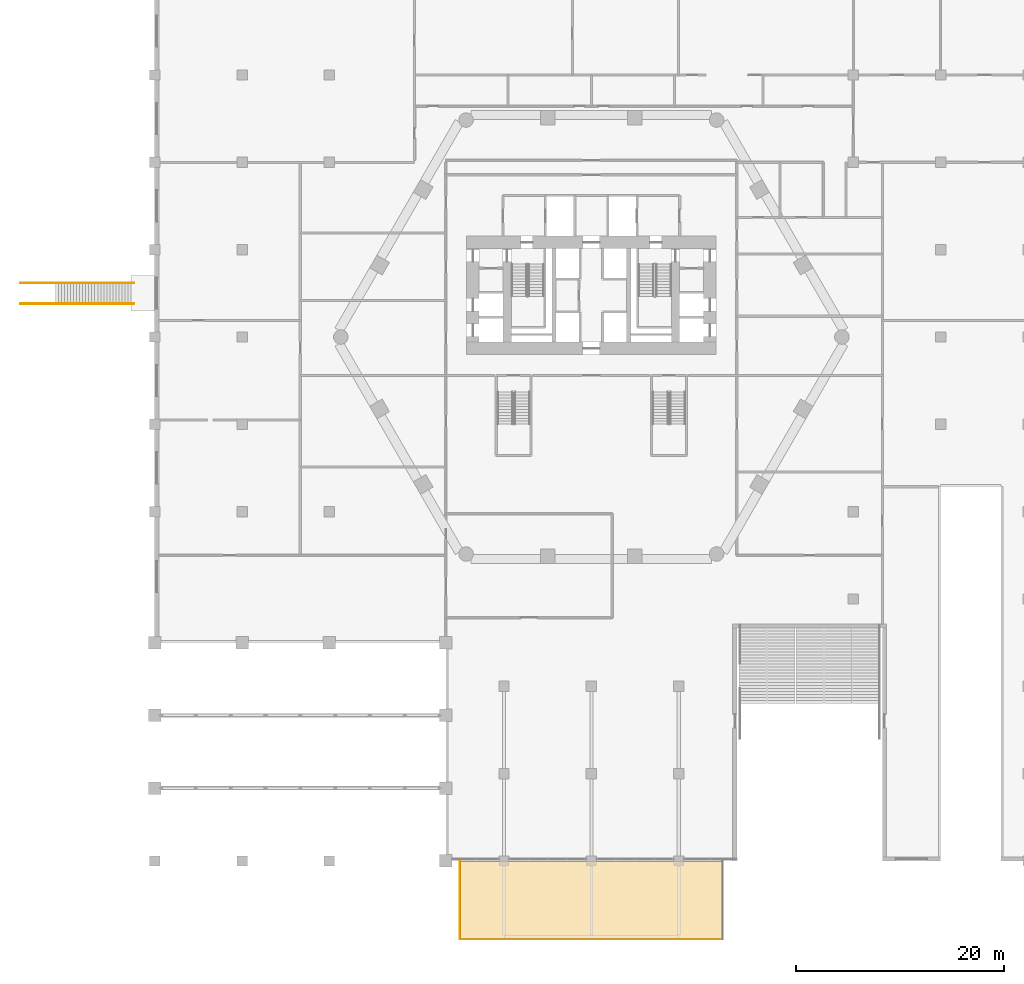
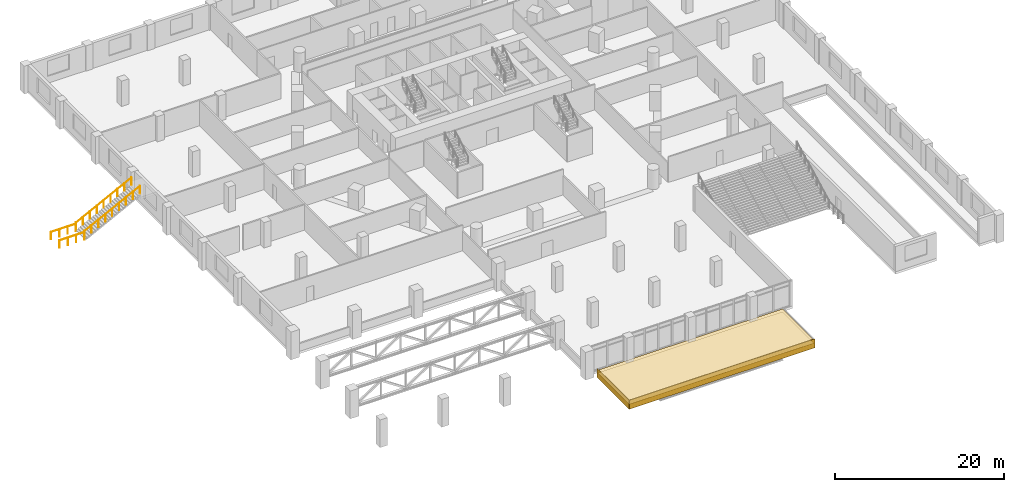
# One storey, part 20 of 24: 4 coverings, 4 railings.
"""IFC4 building model written with IfcOpenShell, lengths in metres."""

from ifc_helpers import new_model, si_unit, direction, frame, origin, origin_2d, place, context, subcontext, project, spatial, polyline, circle, outline, extrude, material, layer, layer_set, type_object, element, save


model = new_model("IFC4")

# Units and contexts
model_context = context("Model", 3, precision=1e-05, world=origin(), true_north=direction((0.0, 1.0)))
body_context = subcontext(model_context, "Body", "Model", "MODEL_VIEW")
ifc_project = project(units=[si_unit("LENGTHUNIT", "METRE"), si_unit("AREAUNIT", "SQUARE_METRE"), si_unit("VOLUMEUNIT", "CUBIC_METRE"), si_unit("PLANEANGLEUNIT", "RADIAN"), si_unit("MASSUNIT", "GRAM", prefix="KILO")], contexts=[model_context])

# Site, building, storey
site_placement = place(None, origin())
site = spatial("IfcSite", under=ifc_project, at=site_placement, CompositionType="ELEMENT")
building_placement = place(site_placement, origin())
building = spatial("IfcBuilding", under=site, at=building_placement, Name="Ostrander Bayou Hotel Tower", CompositionType="ELEMENT")
storey_placement = place(building_placement, frame((0.0, 0.0, 6.0)))
storey = spatial("IfcBuildingStorey", under=building, at=storey_placement, Name="L01", CompositionType="ELEMENT", Elevation=6.0)

# Coverings
ifc_material_1 = material(Name="Standing-seam metal roofing")
ifc_layer_1 = layer(ifc_material_1, 0.050048828125)
ifc_layer_set_1 = layer_set([ifc_layer_1], Name="CV1 canopy roofing 50 mm")
covering_type_1 = type_object("IfcCoveringType", Name="CV1 canopy roofing 50 mm", PredefinedType="ROOFING", material=ifc_layer_set_1)
covering_1_placement = place(storey_placement, origin())
element("IfcCovering", 1, at=covering_1_placement, inside=storey, type_object=covering_type_1, Name="CV1 canopy roofing", PredefinedType="ROOFING", context=body_context, shape_type="SweptSolid", body=[
    extrude(outline(polyline([(12.60009765625, -57.89990234375), (12.60009765625, -50.39990234375), (-12.60009765625, -50.39990234375), (-12.60009765625, -57.89990234375), (12.60009765625, -57.89990234375)])), origin(), (0.0, 0.0, 1.0), 0.050048828125),
])
ifc_material_2 = material(Name="Aluminium soffit panels", Category="aluminium")
ifc_layer_2 = layer(ifc_material_2, 0.030029296875)
ifc_layer_set_2 = layer_set([ifc_layer_2], Name="CV2 canopy soffit lining 30 mm")
covering_type_2 = type_object("IfcCoveringType", Name="CV2 canopy soffit lining 30 mm", PredefinedType="CEILING", material=ifc_layer_set_2)
covering_2_placement = place(storey_placement, frame((0.0, 0.0, -0.3798828125)))
element("IfcCovering", 2, at=covering_2_placement, inside=storey, type_object=covering_type_2, Name="CV2 canopy soffit", PredefinedType="CEILING", context=body_context, shape_type="SweptSolid", body=[
    extrude(outline(polyline([(12.60009765625, -57.89990234375), (12.60009765625, -50.39990234375), (-12.60009765625, -50.39990234375), (-12.60009765625, -57.89990234375), (12.60009765625, -57.89990234375)])), origin(), (0.0, 0.0, 1.0), 0.02978515625),
])
ifc_material_3 = material(Name="Reconstituted stone panels", Category="masonry")
ifc_layer_3 = layer(ifc_material_3, 0.0400390625)
ifc_layer_set_3 = layer_set([ifc_layer_3], Name="CV4 canopy fascia 40 mm")
covering_type_3 = type_object("IfcCoveringType", Name="CV4 canopy fascia 40 mm", PredefinedType="CLADDING", material=ifc_layer_set_3)
covering_3_placement = place(storey_placement, frame((-12.64990234375, -57.949951171875, -1.0), z_axis=(0.0, -1.0, 0.0), x_axis=(1.0, 0.0, 0.0)))
element("IfcCovering", 3, at=covering_3_placement, inside=storey, type_object=covering_type_3, Name="CV4 canopy fascia tip", PredefinedType="CLADDING", context=body_context, shape_type="SweptSolid", body=[
    extrude(outline(polyline([(0.0, 0.0), (25.2998046875, 0.0), (25.2998046875, 1.300048828125), (0.0, 1.300048828125), (0.0, 0.0)])), origin(), (0.0, 0.0, -1.0), 0.0400390625),
])
covering_4_placement = place(storey_placement, frame((-12.64990234375, -50.39990234375, -1.0), z_axis=(-1.0, 0.0, 0.0), x_axis=(0.0, -1.0, 0.0)))
element("IfcCovering", 4, at=covering_4_placement, inside=storey, type_object=covering_type_3, Name="CV4 canopy fascia west", PredefinedType="CLADDING", context=body_context, shape_type="SweptSolid", body=[
    extrude(outline(polyline([(0.0, 0.0), (7.550048828125, 0.0), (7.550048828125, 1.300048828125), (0.0, 1.300048828125), (0.0, 0.0)])), origin(), (0.0, 0.0, -1.0), 0.0400390625),
])

# Railings
ifc_material_4 = material(Name="Stainless steel and clear glass", Category="steel")
railing_type = type_object("IfcRailingType", Name="GR1 guard 1100 mm", PredefinedType="GUARDRAIL", material=ifc_material_4)
railing_1_placement = place(storey_placement, frame((-54.93994140625, 5.199951171875, 0.0)))
element("IfcRailing", 5, at=railing_1_placement, inside=storey, type_object=railing_type, Name="GR1 deck stair guard WLT", PredefinedType="GUARDRAIL", context=body_context, shape_type="SweptSolid", body=[
    extrude(circle(Radius=0.02490234375, at=origin_2d()), frame((0.0, 0.0, 1.0751953125), z_axis=(1.0, 0.0, 0.0), x_axis=(0.0, 1.0, 0.0)), (0.0, 0.0, 1.0), 3.39990234375),
    extrude(circle(Radius=0.02001953125, at=origin_2d()), origin(), (0.0, 0.0, 1.0), 1.050048828125),
    extrude(circle(Radius=0.02001953125, at=origin_2d()), frame((1.13330078125, 0.0, 0.0)), (0.0, 0.0, 1.0), 1.050048828125),
    extrude(circle(Radius=0.02001953125, at=origin_2d()), frame((2.2666015625, 0.0, 0.0)), (0.0, 0.0, 1.0), 1.050048828125),
    extrude(circle(Radius=0.02001953125, at=origin_2d()), frame((3.39990234375, 0.0, 0.0)), (0.0, 0.0, 1.0), 1.050048828125),
])
railing_2_placement = place(storey_placement, frame((-51.5400390625, 5.199951171875, 0.148193359375)))
element("IfcRailing", 6, at=railing_2_placement, inside=storey, type_object=railing_type, Name="GR1 deck stair guard WLB", PredefinedType="GUARDRAIL", context=body_context, shape_type="SweptSolid", body=[
    extrude(circle(Radius=0.02490234375, at=origin_2d()), frame((0.0, 0.0, 1.0751953125), z_axis=(0.890529961599, 0.0, 0.454924595394), x_axis=(0.0, 1.0, 0.0)), (0.0, 0.0, 1.0), 8.466796875),
    extrude(circle(Radius=0.02001953125, at=origin_2d()), origin(), (0.0, 0.0, 1.0), 1.050048828125),
    extrude(circle(Radius=0.02001953125, at=origin_2d()), frame((0.9423828125, 0.0, 0.4814453125)), (0.0, 0.0, 1.0), 1.050048828125),
    extrude(circle(Radius=0.02001953125, at=origin_2d()), frame((1.885009765625, 0.0, 0.962890625)), (0.0, 0.0, 1.0), 1.050048828125),
    extrude(circle(Radius=0.02001953125, at=origin_2d()), frame((2.82763671875, 0.0, 1.4443359375)), (0.0, 0.0, 1.0), 1.050048828125),
    extrude(circle(Radius=0.02001953125, at=origin_2d()), frame((3.77001953125, 0.0, 1.92578125)), (0.0, 0.0, 1.0), 1.050048828125),
    extrude(circle(Radius=0.02001953125, at=origin_2d()), frame((4.71240234375, 0.0, 2.407470703125)), (0.0, 0.0, 1.0), 1.050048828125),
    extrude(circle(Radius=0.02001953125, at=origin_2d()), frame((5.655029296875, 0.0, 2.888916015625)), (0.0, 0.0, 1.0), 1.050048828125),
    extrude(circle(Radius=0.02001953125, at=origin_2d()), frame((6.59765625, 0.0, 3.370361328125)), (0.0, 0.0, 1.0), 1.050048828125),
    extrude(circle(Radius=0.02001953125, at=origin_2d()), frame((7.5400390625, 0.0, 3.851806640625)), (0.0, 0.0, 1.0), 1.050048828125),
])
railing_3_placement = place(storey_placement, frame((-54.93994140625, 3.199951171875, 0.0)))
element("IfcRailing", 7, at=railing_3_placement, inside=storey, type_object=railing_type, Name="GR1 deck stair guard WRT", PredefinedType="GUARDRAIL", context=body_context, shape_type="SweptSolid", body=[
    extrude(circle(Radius=0.02490234375, at=origin_2d()), frame((0.0, 0.0, 1.0751953125), z_axis=(1.0, 0.0, 0.0), x_axis=(0.0, 1.0, 0.0)), (0.0, 0.0, 1.0), 3.39990234375),
    extrude(circle(Radius=0.02001953125, at=origin_2d()), origin(), (0.0, 0.0, 1.0), 1.050048828125),
    extrude(circle(Radius=0.02001953125, at=origin_2d()), frame((1.13330078125, 0.0, 0.0)), (0.0, 0.0, 1.0), 1.050048828125),
    extrude(circle(Radius=0.02001953125, at=origin_2d()), frame((2.2666015625, 0.0, 0.0)), (0.0, 0.0, 1.0), 1.050048828125),
    extrude(circle(Radius=0.02001953125, at=origin_2d()), frame((3.39990234375, 0.0, 0.0)), (0.0, 0.0, 1.0), 1.050048828125),
])
railing_4_placement = place(storey_placement, frame((-51.5400390625, 3.199951171875, 0.148193359375)))
element("IfcRailing", 8, at=railing_4_placement, inside=storey, type_object=railing_type, Name="GR1 deck stair guard WRB", PredefinedType="GUARDRAIL", context=body_context, shape_type="SweptSolid", body=[
    extrude(circle(Radius=0.02490234375, at=origin_2d()), frame((0.0, 0.0, 1.0751953125), z_axis=(0.890529961599, 0.0, 0.454924595394), x_axis=(0.0, 1.0, 0.0)), (0.0, 0.0, 1.0), 8.466796875),
    extrude(circle(Radius=0.02001953125, at=origin_2d()), origin(), (0.0, 0.0, 1.0), 1.050048828125),
    extrude(circle(Radius=0.02001953125, at=origin_2d()), frame((0.9423828125, 0.0, 0.4814453125)), (0.0, 0.0, 1.0), 1.050048828125),
    extrude(circle(Radius=0.02001953125, at=origin_2d()), frame((1.885009765625, 0.0, 0.962890625)), (0.0, 0.0, 1.0), 1.050048828125),
    extrude(circle(Radius=0.02001953125, at=origin_2d()), frame((2.82763671875, 0.0, 1.4443359375)), (0.0, 0.0, 1.0), 1.050048828125),
    extrude(circle(Radius=0.02001953125, at=origin_2d()), frame((3.77001953125, 0.0, 1.92578125)), (0.0, 0.0, 1.0), 1.050048828125),
    extrude(circle(Radius=0.02001953125, at=origin_2d()), frame((4.71240234375, 0.0, 2.407470703125)), (0.0, 0.0, 1.0), 1.050048828125),
    extrude(circle(Radius=0.02001953125, at=origin_2d()), frame((5.655029296875, 0.0, 2.888916015625)), (0.0, 0.0, 1.0), 1.050048828125),
    extrude(circle(Radius=0.02001953125, at=origin_2d()), frame((6.59765625, 0.0, 3.370361328125)), (0.0, 0.0, 1.0), 1.050048828125),
    extrude(circle(Radius=0.02001953125, at=origin_2d()), frame((7.5400390625, 0.0, 3.851806640625)), (0.0, 0.0, 1.0), 1.050048828125),
])

save(model, "model.ifc")
